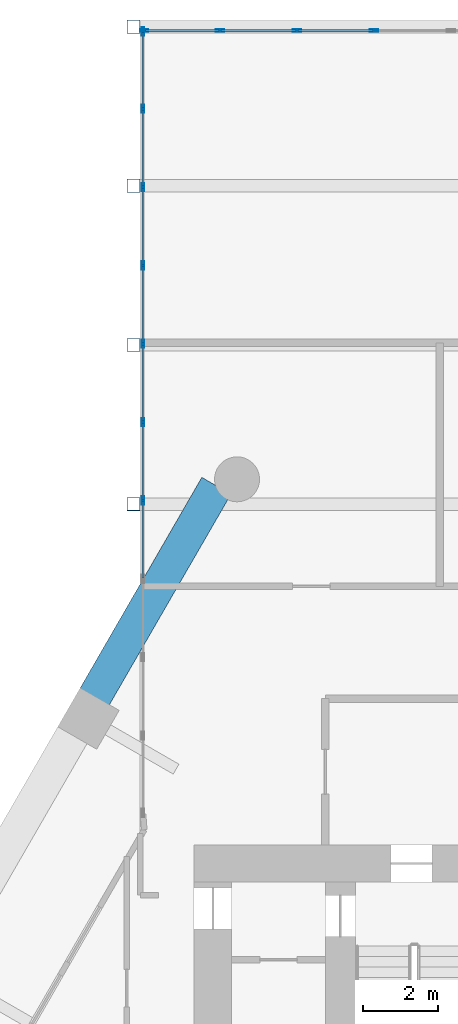
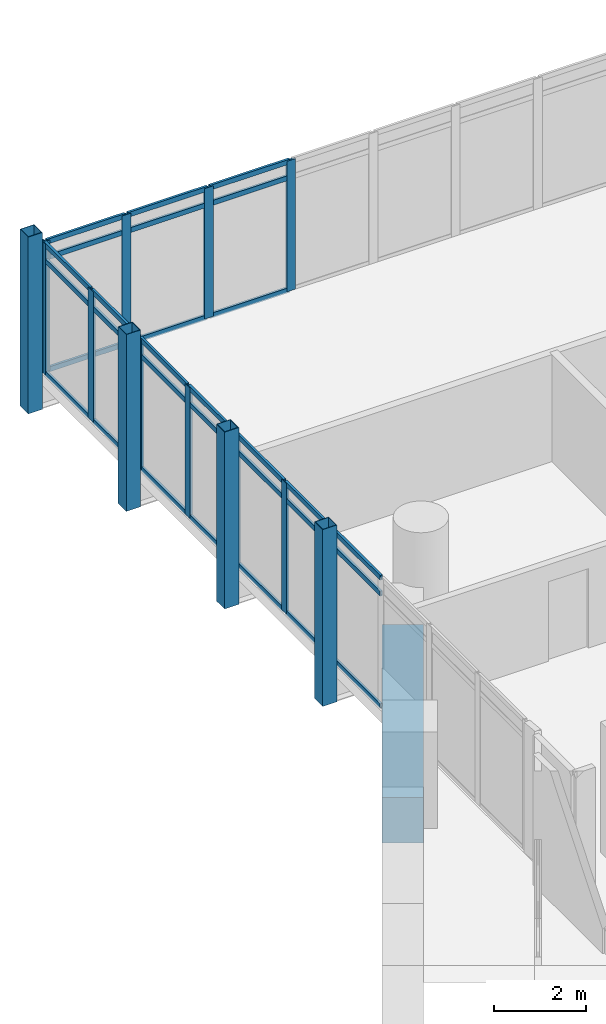
# One storey, part 13 of 28: 45 members, 1 beam, 2 elements without a shape of their own.
"""IFC4 building model written with IfcOpenShell, lengths in metres."""

from ifc_helpers import new_model, si_unit, direction, frame, origin, origin_2d, place, context, subcontext, project, spatial, rectangle, hollow_rectangle, extrude, material, material_profile, profile_set, type_object, element, aggregate, save


model = new_model("IFC4")

# Units and contexts
model_context = context("Model", 3, precision=1e-05, world=origin(), true_north=direction((0.0, 1.0)))
body_context = subcontext(model_context, "Body", "Model", "MODEL_VIEW")
ifc_project = project(units=[si_unit("LENGTHUNIT", "METRE"), si_unit("AREAUNIT", "SQUARE_METRE"), si_unit("VOLUMEUNIT", "CUBIC_METRE"), si_unit("PLANEANGLEUNIT", "RADIAN"), si_unit("MASSUNIT", "GRAM", prefix="KILO")], contexts=[model_context])

# Site, building, storey
site_placement = place(None, origin())
site = spatial("IfcSite", under=ifc_project, at=site_placement, CompositionType="ELEMENT")
building_placement = place(site_placement, origin())
building = spatial("IfcBuilding", under=site, at=building_placement, Name="Ostrander Bayou Hotel Tower", CompositionType="ELEMENT")
storey_placement = place(building_placement, frame((0.0, 0.0, 104.25)))
storey = spatial("IfcBuildingStorey", under=building, at=storey_placement, Name="L26", CompositionType="ELEMENT", Elevation=104.25)

# Curtain wall, members
ifc_material_1 = material(Name="Aluminium and clear glass", Category="aluminium")
curtain_wall_type = type_object("IfcCurtainWallType", Name="CW-BAR glazed wall", PredefinedType="NOTDEFINED", material=ifc_material_1)
curtain_wall_1_placement = place(storey_placement, origin())
curtain_wall_1 = element("IfcCurtainWall", 1, at=curtain_wall_1_placement, inside=storey, type_object=curtain_wall_type, Name="CW-BAR L26:SB2N:E", PredefinedType="NOTDEFINED")
ifc_material_2 = material(Name="Aluminium", Category="aluminium")
ifc_material_profile_1 = material_profile(ifc_material_2, hollow_rectangle(XDim=0.06005859375, YDim=0.219970703125, WallThickness=0.00390625, at=origin_2d()))
ifc_profile_set_1 = profile_set([ifc_material_profile_1], Name="Aluminium")
member_type_1 = type_object("IfcMemberType", Name="CW-BR mullion 60 x 220 mm", PredefinedType="MULLION", material=ifc_profile_set_1)
member_1_placement = place(storey_placement, frame((-13.3671875, 18.89013671875, 0.0), z_axis=(0.0, 0.0, 1.0), x_axis=(-1.0, 0.0, 0.0)))
member_1 = element("IfcMember", 2, at=member_1_placement, type_object=member_type_1, Name="CW-BAR mullion 5", PredefinedType="MULLION", context=body_context, shape_type="SweptSolid", body=[
    extrude(hollow_rectangle(XDim=0.06005859375, YDim=0.219970703125, WallThickness=0.00390625, at=origin_2d()), origin(), (0.0, 0.0, 1.0), 3.449951171875),
])
member_2_placement = place(storey_placement, frame((-13.3671875, 20.982666015625, 0.0), z_axis=(0.0, 0.0, 1.0), x_axis=(-1.0, 0.0, 0.0)))
member_2 = element("IfcMember", 3, at=member_2_placement, type_object=member_type_1, Name="CW-BAR mullion 6", PredefinedType="MULLION", context=body_context, shape_type="SweptSolid", body=[
    extrude(hollow_rectangle(XDim=0.06005859375, YDim=0.219970703125, WallThickness=0.00390625, at=origin_2d()), origin(), (0.0, 0.0, 1.0), 3.449951171875),
])
member_3_placement = place(storey_placement, frame((-13.3671875, 23.0751953125, 0.0), z_axis=(0.0, 0.0, 1.0), x_axis=(-1.0, 0.0, 0.0)))
member_3 = element("IfcMember", 4, at=member_3_placement, type_object=member_type_1, Name="CW-BAR mullion 7", PredefinedType="MULLION", context=body_context, shape_type="SweptSolid", body=[
    extrude(hollow_rectangle(XDim=0.06005859375, YDim=0.219970703125, WallThickness=0.00390625, at=origin_2d()), origin(), (0.0, 0.0, 1.0), 3.449951171875),
])
member_4_placement = place(storey_placement, frame((-13.3671875, 25.167724609375, 0.0), z_axis=(0.0, 0.0, 1.0), x_axis=(-1.0, 0.0, 0.0)))
member_4 = element("IfcMember", 5, at=member_4_placement, type_object=member_type_1, Name="CW-BAR mullion 8", PredefinedType="MULLION", context=body_context, shape_type="SweptSolid", body=[
    extrude(hollow_rectangle(XDim=0.06005859375, YDim=0.219970703125, WallThickness=0.00390625, at=origin_2d()), origin(), (0.0, 0.0, 1.0), 3.449951171875),
])
member_5_placement = place(storey_placement, frame((-13.3671875, 27.26025390625, 0.0), z_axis=(0.0, 0.0, 1.0), x_axis=(-1.0, 0.0, 0.0)))
member_5 = element("IfcMember", 6, at=member_5_placement, type_object=member_type_1, Name="CW-BAR mullion 9", PredefinedType="MULLION", context=body_context, shape_type="SweptSolid", body=[
    extrude(hollow_rectangle(XDim=0.06005859375, YDim=0.219970703125, WallThickness=0.00390625, at=origin_2d()), origin(), (0.0, 0.0, 1.0), 3.449951171875),
])
member_6_placement = place(storey_placement, frame((-13.3671875, 29.352783203125, 0.0), z_axis=(0.0, 0.0, 1.0), x_axis=(-1.0, 0.0, 0.0)))
member_6 = element("IfcMember", 7, at=member_6_placement, type_object=member_type_1, Name="CW-BAR mullion 10", PredefinedType="MULLION", context=body_context, shape_type="SweptSolid", body=[
    extrude(hollow_rectangle(XDim=0.06005859375, YDim=0.219970703125, WallThickness=0.00390625, at=origin_2d()), origin(), (0.0, 0.0, 1.0), 3.449951171875),
])
member_7_placement = place(storey_placement, frame((-13.3671875, 31.415283203125, 0.0), z_axis=(0.0, 0.0, 1.0), x_axis=(-1.0, 0.0, 0.0)))
member_7 = element("IfcMember", 8, at=member_7_placement, type_object=member_type_1, Name="CW-BAR mullion 11", PredefinedType="MULLION", context=body_context, shape_type="SweptSolid", body=[
    extrude(hollow_rectangle(XDim=0.06005859375, YDim=0.219970703125, WallThickness=0.00390625, at=origin_2d()), origin(), (0.0, 0.0, 1.0), 3.449951171875),
])

curtain_wall_2_placement = place(storey_placement, origin())
curtain_wall_2 = element("IfcCurtainWall", 9, at=curtain_wall_2_placement, inside=storey, type_object=curtain_wall_type, Name="CW-BAR L26:SB2N:T", PredefinedType="NOTDEFINED")
member_8_placement = place(storey_placement, frame((-13.337158203125, 31.4453125, 0.0), z_axis=(0.0, 0.0, 1.0), x_axis=(0.0, 1.0, 0.0)))
member_8 = element("IfcMember", 10, at=member_8_placement, type_object=member_type_1, Name="CW-BAR mullion 1", PredefinedType="MULLION", context=body_context, shape_type="SweptSolid", body=[
    extrude(hollow_rectangle(XDim=0.06005859375, YDim=0.219970703125, WallThickness=0.00390625, at=origin_2d()), origin(), (0.0, 0.0, 1.0), 3.449951171875),
])
member_9_placement = place(storey_placement, frame((-11.310791015625, 31.4453125, 0.0), z_axis=(0.0, 0.0, 1.0), x_axis=(0.0, 1.0, 0.0)))
member_9 = element("IfcMember", 11, at=member_9_placement, type_object=member_type_1, Name="CW-BAR mullion 2", PredefinedType="MULLION", context=body_context, shape_type="SweptSolid", body=[
    extrude(hollow_rectangle(XDim=0.06005859375, YDim=0.219970703125, WallThickness=0.00390625, at=origin_2d()), origin(), (0.0, 0.0, 1.0), 3.449951171875),
])
member_10_placement = place(storey_placement, frame((-9.254150390625, 31.4453125, 0.0), z_axis=(0.0, 0.0, 1.0), x_axis=(0.0, 1.0, 0.0)))
member_10 = element("IfcMember", 12, at=member_10_placement, type_object=member_type_1, Name="CW-BAR mullion 3", PredefinedType="MULLION", context=body_context, shape_type="SweptSolid", body=[
    extrude(hollow_rectangle(XDim=0.06005859375, YDim=0.219970703125, WallThickness=0.00390625, at=origin_2d()), origin(), (0.0, 0.0, 1.0), 3.449951171875),
])
member_11_placement = place(storey_placement, frame((-7.19775390625, 31.4453125, 0.0), z_axis=(0.0, 0.0, 1.0), x_axis=(0.0, 1.0, 0.0)))
member_11 = element("IfcMember", 13, at=member_11_placement, type_object=member_type_1, Name="CW-BAR mullion 4", PredefinedType="MULLION", context=body_context, shape_type="SweptSolid", body=[
    extrude(hollow_rectangle(XDim=0.06005859375, YDim=0.219970703125, WallThickness=0.00390625, at=origin_2d()), origin(), (0.0, 0.0, 1.0), 3.449951171875),
])

# Member
ifc_material_3 = material(Name="Aluminium", Category="aluminium")
ifc_material_profile_2 = material_profile(ifc_material_3, hollow_rectangle(XDim=0.06005859375, YDim=0.1298828125, WallThickness=0.00390625, at=origin_2d()))
ifc_profile_set_2 = profile_set([ifc_material_profile_2], Name="Aluminium")
member_type_2 = type_object("IfcMemberType", Name="CW-BR transom 60 x 130 mm", PredefinedType="USERDEFINED", material=ifc_profile_set_2)
member_12_placement = place(storey_placement, frame((-13.3671875, 16.82763671875, 0.030029296875), z_axis=(0.0, 1.0, 0.0), x_axis=(-1.0, 0.0, 0.0)))
member_12 = element("IfcMember", 14, at=member_12_placement, type_object=member_type_2, Name="CW-BAR transom 4.1", ObjectType="TRANSOM", PredefinedType="USERDEFINED", context=body_context, shape_type="SweptSolid", body=[
    extrude(hollow_rectangle(XDim=0.06005859375, YDim=0.1298828125, WallThickness=0.00390625, at=origin_2d()), origin(), (0.0, 0.0, 1.0), 2.032470703125),
])

member_13_placement = place(storey_placement, frame((-13.3671875, 16.82763671875, 3.0), z_axis=(0.0, 1.0, 0.0), x_axis=(-1.0, 0.0, 0.0)))
member_13 = element("IfcMember", 15, at=member_13_placement, type_object=member_type_2, Name="CW-BAR transom 4.2", ObjectType="TRANSOM", PredefinedType="USERDEFINED", context=body_context, shape_type="SweptSolid", body=[
    extrude(hollow_rectangle(XDim=0.06005859375, YDim=0.1298828125, WallThickness=0.00390625, at=origin_2d()), origin(), (0.0, 0.0, 1.0), 2.032470703125),
])

member_14_placement = place(storey_placement, frame((-13.3671875, 16.82763671875, 3.419921875), z_axis=(0.0, 1.0, 0.0), x_axis=(-1.0, 0.0, 0.0)))
member_14 = element("IfcMember", 16, at=member_14_placement, type_object=member_type_2, Name="CW-BAR transom 4.3", ObjectType="TRANSOM", PredefinedType="USERDEFINED", context=body_context, shape_type="SweptSolid", body=[
    extrude(hollow_rectangle(XDim=0.06005859375, YDim=0.1298828125, WallThickness=0.00390625, at=origin_2d()), origin(), (0.0, 0.0, 1.0), 2.032470703125),
])

member_15_placement = place(storey_placement, frame((-13.3671875, 18.920166015625, 0.030029296875), z_axis=(0.0, 1.0, 0.0), x_axis=(-1.0, 0.0, 0.0)))
member_15 = element("IfcMember", 17, at=member_15_placement, type_object=member_type_2, Name="CW-BAR transom 5.1", ObjectType="TRANSOM", PredefinedType="USERDEFINED", context=body_context, shape_type="SweptSolid", body=[
    extrude(hollow_rectangle(XDim=0.06005859375, YDim=0.1298828125, WallThickness=0.00390625, at=origin_2d()), origin(), (0.0, 0.0, 1.0), 2.032470703125),
])

member_16_placement = place(storey_placement, frame((-13.3671875, 18.920166015625, 3.0), z_axis=(0.0, 1.0, 0.0), x_axis=(-1.0, 0.0, 0.0)))
member_16 = element("IfcMember", 18, at=member_16_placement, type_object=member_type_2, Name="CW-BAR transom 5.2", ObjectType="TRANSOM", PredefinedType="USERDEFINED", context=body_context, shape_type="SweptSolid", body=[
    extrude(hollow_rectangle(XDim=0.06005859375, YDim=0.1298828125, WallThickness=0.00390625, at=origin_2d()), origin(), (0.0, 0.0, 1.0), 2.032470703125),
])

member_17_placement = place(storey_placement, frame((-13.3671875, 18.920166015625, 3.419921875), z_axis=(0.0, 1.0, 0.0), x_axis=(-1.0, 0.0, 0.0)))
member_17 = element("IfcMember", 19, at=member_17_placement, type_object=member_type_2, Name="CW-BAR transom 5.3", ObjectType="TRANSOM", PredefinedType="USERDEFINED", context=body_context, shape_type="SweptSolid", body=[
    extrude(hollow_rectangle(XDim=0.06005859375, YDim=0.1298828125, WallThickness=0.00390625, at=origin_2d()), origin(), (0.0, 0.0, 1.0), 2.032470703125),
])

member_18_placement = place(storey_placement, frame((-13.3671875, 21.0126953125, 0.030029296875), z_axis=(0.0, 1.0, 0.0), x_axis=(-1.0, 0.0, 0.0)))
member_18 = element("IfcMember", 20, at=member_18_placement, type_object=member_type_2, Name="CW-BAR transom 6.1", ObjectType="TRANSOM", PredefinedType="USERDEFINED", context=body_context, shape_type="SweptSolid", body=[
    extrude(hollow_rectangle(XDim=0.06005859375, YDim=0.1298828125, WallThickness=0.00390625, at=origin_2d()), origin(), (0.0, 0.0, 1.0), 2.032470703125),
])

member_19_placement = place(storey_placement, frame((-13.3671875, 21.0126953125, 3.0), z_axis=(0.0, 1.0, 0.0), x_axis=(-1.0, 0.0, 0.0)))
member_19 = element("IfcMember", 21, at=member_19_placement, type_object=member_type_2, Name="CW-BAR transom 6.2", ObjectType="TRANSOM", PredefinedType="USERDEFINED", context=body_context, shape_type="SweptSolid", body=[
    extrude(hollow_rectangle(XDim=0.06005859375, YDim=0.1298828125, WallThickness=0.00390625, at=origin_2d()), origin(), (0.0, 0.0, 1.0), 2.032470703125),
])

member_20_placement = place(storey_placement, frame((-13.3671875, 21.0126953125, 3.419921875), z_axis=(0.0, 1.0, 0.0), x_axis=(-1.0, 0.0, 0.0)))
member_20 = element("IfcMember", 22, at=member_20_placement, type_object=member_type_2, Name="CW-BAR transom 6.3", ObjectType="TRANSOM", PredefinedType="USERDEFINED", context=body_context, shape_type="SweptSolid", body=[
    extrude(hollow_rectangle(XDim=0.06005859375, YDim=0.1298828125, WallThickness=0.00390625, at=origin_2d()), origin(), (0.0, 0.0, 1.0), 2.032470703125),
])

member_21_placement = place(storey_placement, frame((-13.3671875, 23.105224609375, 0.030029296875), z_axis=(0.0, 1.0, 0.0), x_axis=(-1.0, 0.0, 0.0)))
member_21 = element("IfcMember", 23, at=member_21_placement, type_object=member_type_2, Name="CW-BAR transom 7.1", ObjectType="TRANSOM", PredefinedType="USERDEFINED", context=body_context, shape_type="SweptSolid", body=[
    extrude(hollow_rectangle(XDim=0.06005859375, YDim=0.1298828125, WallThickness=0.00390625, at=origin_2d()), origin(), (0.0, 0.0, 1.0), 2.032470703125),
])

member_22_placement = place(storey_placement, frame((-13.3671875, 23.105224609375, 3.0), z_axis=(0.0, 1.0, 0.0), x_axis=(-1.0, 0.0, 0.0)))
member_22 = element("IfcMember", 24, at=member_22_placement, type_object=member_type_2, Name="CW-BAR transom 7.2", ObjectType="TRANSOM", PredefinedType="USERDEFINED", context=body_context, shape_type="SweptSolid", body=[
    extrude(hollow_rectangle(XDim=0.06005859375, YDim=0.1298828125, WallThickness=0.00390625, at=origin_2d()), origin(), (0.0, 0.0, 1.0), 2.032470703125),
])

member_23_placement = place(storey_placement, frame((-13.3671875, 23.105224609375, 3.419921875), z_axis=(0.0, 1.0, 0.0), x_axis=(-1.0, 0.0, 0.0)))
member_23 = element("IfcMember", 25, at=member_23_placement, type_object=member_type_2, Name="CW-BAR transom 7.3", ObjectType="TRANSOM", PredefinedType="USERDEFINED", context=body_context, shape_type="SweptSolid", body=[
    extrude(hollow_rectangle(XDim=0.06005859375, YDim=0.1298828125, WallThickness=0.00390625, at=origin_2d()), origin(), (0.0, 0.0, 1.0), 2.032470703125),
])

member_24_placement = place(storey_placement, frame((-13.3671875, 25.19775390625, 0.030029296875), z_axis=(0.0, 1.0, 0.0), x_axis=(-1.0, 0.0, 0.0)))
member_24 = element("IfcMember", 26, at=member_24_placement, type_object=member_type_2, Name="CW-BAR transom 8.1", ObjectType="TRANSOM", PredefinedType="USERDEFINED", context=body_context, shape_type="SweptSolid", body=[
    extrude(hollow_rectangle(XDim=0.06005859375, YDim=0.1298828125, WallThickness=0.00390625, at=origin_2d()), origin(), (0.0, 0.0, 1.0), 2.032470703125),
])

member_25_placement = place(storey_placement, frame((-13.3671875, 25.19775390625, 3.0), z_axis=(0.0, 1.0, 0.0), x_axis=(-1.0, 0.0, 0.0)))
member_25 = element("IfcMember", 27, at=member_25_placement, type_object=member_type_2, Name="CW-BAR transom 8.2", ObjectType="TRANSOM", PredefinedType="USERDEFINED", context=body_context, shape_type="SweptSolid", body=[
    extrude(hollow_rectangle(XDim=0.06005859375, YDim=0.1298828125, WallThickness=0.00390625, at=origin_2d()), origin(), (0.0, 0.0, 1.0), 2.032470703125),
])

member_26_placement = place(storey_placement, frame((-13.3671875, 25.19775390625, 3.419921875), z_axis=(0.0, 1.0, 0.0), x_axis=(-1.0, 0.0, 0.0)))
member_26 = element("IfcMember", 28, at=member_26_placement, type_object=member_type_2, Name="CW-BAR transom 8.3", ObjectType="TRANSOM", PredefinedType="USERDEFINED", context=body_context, shape_type="SweptSolid", body=[
    extrude(hollow_rectangle(XDim=0.06005859375, YDim=0.1298828125, WallThickness=0.00390625, at=origin_2d()), origin(), (0.0, 0.0, 1.0), 2.032470703125),
])

member_27_placement = place(storey_placement, frame((-13.3671875, 27.290283203125, 0.030029296875), z_axis=(0.0, 1.0, 0.0), x_axis=(-1.0, 0.0, 0.0)))
member_27 = element("IfcMember", 29, at=member_27_placement, type_object=member_type_2, Name="CW-BAR transom 9.1", ObjectType="TRANSOM", PredefinedType="USERDEFINED", context=body_context, shape_type="SweptSolid", body=[
    extrude(hollow_rectangle(XDim=0.06005859375, YDim=0.1298828125, WallThickness=0.00390625, at=origin_2d()), origin(), (0.0, 0.0, 1.0), 2.032470703125),
])

member_28_placement = place(storey_placement, frame((-13.3671875, 27.290283203125, 3.0), z_axis=(0.0, 1.0, 0.0), x_axis=(-1.0, 0.0, 0.0)))
member_28 = element("IfcMember", 30, at=member_28_placement, type_object=member_type_2, Name="CW-BAR transom 9.2", ObjectType="TRANSOM", PredefinedType="USERDEFINED", context=body_context, shape_type="SweptSolid", body=[
    extrude(hollow_rectangle(XDim=0.06005859375, YDim=0.1298828125, WallThickness=0.00390625, at=origin_2d()), origin(), (0.0, 0.0, 1.0), 2.032470703125),
])

member_29_placement = place(storey_placement, frame((-13.3671875, 27.290283203125, 3.419921875), z_axis=(0.0, 1.0, 0.0), x_axis=(-1.0, 0.0, 0.0)))
member_29 = element("IfcMember", 31, at=member_29_placement, type_object=member_type_2, Name="CW-BAR transom 9.3", ObjectType="TRANSOM", PredefinedType="USERDEFINED", context=body_context, shape_type="SweptSolid", body=[
    extrude(hollow_rectangle(XDim=0.06005859375, YDim=0.1298828125, WallThickness=0.00390625, at=origin_2d()), origin(), (0.0, 0.0, 1.0), 2.032470703125),
])

member_30_placement = place(storey_placement, frame((-13.3671875, 29.3828125, 0.030029296875), z_axis=(0.0, 1.0, 0.0), x_axis=(-1.0, 0.0, 0.0)))
member_30 = element("IfcMember", 32, at=member_30_placement, type_object=member_type_2, Name="CW-BAR transom 10.1", ObjectType="TRANSOM", PredefinedType="USERDEFINED", context=body_context, shape_type="SweptSolid", body=[
    extrude(hollow_rectangle(XDim=0.06005859375, YDim=0.1298828125, WallThickness=0.00390625, at=origin_2d()), origin(), (0.0, 0.0, 1.0), 2.002685546875),
])

member_31_placement = place(storey_placement, frame((-13.3671875, 29.3828125, 3.0), z_axis=(0.0, 1.0, 0.0), x_axis=(-1.0, 0.0, 0.0)))
member_31 = element("IfcMember", 33, at=member_31_placement, type_object=member_type_2, Name="CW-BAR transom 10.2", ObjectType="TRANSOM", PredefinedType="USERDEFINED", context=body_context, shape_type="SweptSolid", body=[
    extrude(hollow_rectangle(XDim=0.06005859375, YDim=0.1298828125, WallThickness=0.00390625, at=origin_2d()), origin(), (0.0, 0.0, 1.0), 2.002685546875),
])

member_32_placement = place(storey_placement, frame((-13.3671875, 29.3828125, 3.419921875), z_axis=(0.0, 1.0, 0.0), x_axis=(-1.0, 0.0, 0.0)))
member_32 = element("IfcMember", 34, at=member_32_placement, type_object=member_type_2, Name="CW-BAR transom 10.3", ObjectType="TRANSOM", PredefinedType="USERDEFINED", context=body_context, shape_type="SweptSolid", body=[
    extrude(hollow_rectangle(XDim=0.06005859375, YDim=0.1298828125, WallThickness=0.00390625, at=origin_2d()), origin(), (0.0, 0.0, 1.0), 2.002685546875),
])

aggregate(curtain_wall_1, [member_1, member_2, member_3, member_4, member_5, member_6, member_7, member_12, member_13, member_14, member_15, member_16, member_17, member_18, member_19, member_20, member_21, member_22, member_23, member_24, member_25, member_26, member_27, member_28, member_29, member_30, member_31, member_32])

member_33_placement = place(storey_placement, frame((-13.30712890625, 31.4453125, 0.030029296875), z_axis=(1.0, 0.0, 0.0), x_axis=(0.0, 1.0, 0.0)))
member_33 = element("IfcMember", 35, at=member_33_placement, type_object=member_type_2, Name="CW-BAR transom 1.1", ObjectType="TRANSOM", PredefinedType="USERDEFINED", context=body_context, shape_type="SweptSolid", body=[
    extrude(hollow_rectangle(XDim=0.06005859375, YDim=0.1298828125, WallThickness=0.00390625, at=origin_2d()), origin(), (0.0, 0.0, 1.0), 1.96630859375),
])

member_34_placement = place(storey_placement, frame((-13.30712890625, 31.4453125, 3.0), z_axis=(1.0, 0.0, 0.0), x_axis=(0.0, 1.0, 0.0)))
member_34 = element("IfcMember", 36, at=member_34_placement, type_object=member_type_2, Name="CW-BAR transom 1.2", ObjectType="TRANSOM", PredefinedType="USERDEFINED", context=body_context, shape_type="SweptSolid", body=[
    extrude(hollow_rectangle(XDim=0.06005859375, YDim=0.1298828125, WallThickness=0.00390625, at=origin_2d()), origin(), (0.0, 0.0, 1.0), 1.96630859375),
])

member_35_placement = place(storey_placement, frame((-13.30712890625, 31.4453125, 3.419921875), z_axis=(1.0, 0.0, 0.0), x_axis=(0.0, 1.0, 0.0)))
member_35 = element("IfcMember", 37, at=member_35_placement, type_object=member_type_2, Name="CW-BAR transom 1.3", ObjectType="TRANSOM", PredefinedType="USERDEFINED", context=body_context, shape_type="SweptSolid", body=[
    extrude(hollow_rectangle(XDim=0.06005859375, YDim=0.1298828125, WallThickness=0.00390625, at=origin_2d()), origin(), (0.0, 0.0, 1.0), 1.96630859375),
])

member_36_placement = place(storey_placement, frame((-11.28076171875, 31.4453125, 0.030029296875), z_axis=(1.0, 0.0, 0.0), x_axis=(0.0, 1.0, 0.0)))
member_36 = element("IfcMember", 38, at=member_36_placement, type_object=member_type_2, Name="CW-BAR transom 2.1", ObjectType="TRANSOM", PredefinedType="USERDEFINED", context=body_context, shape_type="SweptSolid", body=[
    extrude(hollow_rectangle(XDim=0.06005859375, YDim=0.1298828125, WallThickness=0.00390625, at=origin_2d()), origin(), (0.0, 0.0, 1.0), 1.99658203125),
])

member_37_placement = place(storey_placement, frame((-11.28076171875, 31.4453125, 3.0), z_axis=(1.0, 0.0, 0.0), x_axis=(0.0, 1.0, 0.0)))
member_37 = element("IfcMember", 39, at=member_37_placement, type_object=member_type_2, Name="CW-BAR transom 2.2", ObjectType="TRANSOM", PredefinedType="USERDEFINED", context=body_context, shape_type="SweptSolid", body=[
    extrude(hollow_rectangle(XDim=0.06005859375, YDim=0.1298828125, WallThickness=0.00390625, at=origin_2d()), origin(), (0.0, 0.0, 1.0), 1.99658203125),
])

member_38_placement = place(storey_placement, frame((-11.28076171875, 31.4453125, 3.419921875), z_axis=(1.0, 0.0, 0.0), x_axis=(0.0, 1.0, 0.0)))
member_38 = element("IfcMember", 40, at=member_38_placement, type_object=member_type_2, Name="CW-BAR transom 2.3", ObjectType="TRANSOM", PredefinedType="USERDEFINED", context=body_context, shape_type="SweptSolid", body=[
    extrude(hollow_rectangle(XDim=0.06005859375, YDim=0.1298828125, WallThickness=0.00390625, at=origin_2d()), origin(), (0.0, 0.0, 1.0), 1.99658203125),
])

member_39_placement = place(storey_placement, frame((-9.22412109375, 31.4453125, 0.030029296875), z_axis=(1.0, 0.0, 0.0), x_axis=(0.0, 1.0, 0.0)))
member_39 = element("IfcMember", 41, at=member_39_placement, type_object=member_type_2, Name="CW-BAR transom 3.1", ObjectType="TRANSOM", PredefinedType="USERDEFINED", context=body_context, shape_type="SweptSolid", body=[
    extrude(hollow_rectangle(XDim=0.06005859375, YDim=0.1298828125, WallThickness=0.00390625, at=origin_2d()), origin(), (0.0, 0.0, 1.0), 1.996337890625),
])

member_40_placement = place(storey_placement, frame((-9.22412109375, 31.4453125, 3.0), z_axis=(1.0, 0.0, 0.0), x_axis=(0.0, 1.0, 0.0)))
member_40 = element("IfcMember", 42, at=member_40_placement, type_object=member_type_2, Name="CW-BAR transom 3.2", ObjectType="TRANSOM", PredefinedType="USERDEFINED", context=body_context, shape_type="SweptSolid", body=[
    extrude(hollow_rectangle(XDim=0.06005859375, YDim=0.1298828125, WallThickness=0.00390625, at=origin_2d()), origin(), (0.0, 0.0, 1.0), 1.996337890625),
])

member_41_placement = place(storey_placement, frame((-9.22412109375, 31.4453125, 3.419921875), z_axis=(1.0, 0.0, 0.0), x_axis=(0.0, 1.0, 0.0)))
member_41 = element("IfcMember", 43, at=member_41_placement, type_object=member_type_2, Name="CW-BAR transom 3.3", ObjectType="TRANSOM", PredefinedType="USERDEFINED", context=body_context, shape_type="SweptSolid", body=[
    extrude(hollow_rectangle(XDim=0.06005859375, YDim=0.1298828125, WallThickness=0.00390625, at=origin_2d()), origin(), (0.0, 0.0, 1.0), 1.996337890625),
])

aggregate(curtain_wall_2, [member_8, member_9, member_10, member_11, member_33, member_34, member_35, member_36, member_37, member_38, member_39, member_40, member_41])

# Beam
ifc_material_4 = material(Name="Concrete f'c 70 MPa", Category="concrete")
ifc_material_profile_3 = material_profile(ifc_material_4, rectangle(XDim=0.89990234375, YDim=1.199951171875, at=origin_2d()))
ifc_profile_set_3 = profile_set([ifc_material_profile_3], Name="Concrete f'c 70 MPa")
beam_type = type_object("IfcBeamType", Name="SP2 spandrel beam 900 x 1200 mm f'c 70 MPa", PredefinedType="SPANDREL", material=ifc_profile_set_3)
beam_placement = place(storey_placement, frame((-11.407958984375, 19.286376953125, -0.60009765625), z_axis=(-0.499971966783, -0.866041588165, 0.0), x_axis=(0.866041588165, -0.499971966783, 0.0)))
element("IfcBeam", 44, at=beam_placement, inside=storey, type_object=beam_type, Name="SP2 L26 NW-1", PredefinedType="SPANDREL", context=body_context, shape_type="SweptSolid", body=[
    extrude(rectangle(XDim=0.89990234375, YDim=1.199951171875, at=origin_2d()), origin(), (0.0, 0.0, 1.0), 6.521728515625),
])

# Members
ifc_material_5 = material(Name="Steel ASTM A500 Gr C", Category="steel")
ifc_material_profile_4 = material_profile(ifc_material_5, hollow_rectangle(XDim=0.355712890625, YDim=0.355712890625, WallThickness=0.0146484375, at=origin_2d()))
ifc_profile_set_4 = profile_set([ifc_material_profile_4], Name="Steel ASTM A500 Gr C")
member_type_3 = type_object("IfcMemberType", Name="TH1 bar hanger HSS14x14x5/8", PredefinedType="POST", material=ifc_profile_set_4)
for number, where, z_axis, x_axis, name in (
    (45, (-13.6201171875, 31.54541015625, -0.921875), (0.0, 0.0, 1.0), (1.0, 0.0, 0.0), "TH1 SB2WA H1-4"),
    (46, (-13.6201171875, 27.295654296875, -0.921875), (0.0, 0.0, 1.0), (1.0, 0.0, 0.0), "TH1 SB2WA H2-4"),
    (47, (-13.6201171875, 23.0458984375, -0.921875), (0.0, 0.0, 1.0), (1.0, 0.0, 0.0), "TH1 SB2WA H3-4"),
    (48, (-13.6201171875, 18.79638671875, -0.921875), (0.0, 0.0, 1.0), (1.0, 0.0, 0.0), "TH1 SB2WA H4-4"),
):
    element("IfcMember", number, at=place(storey_placement, frame(where, z_axis=z_axis, x_axis=x_axis)), inside=storey, type_object=member_type_3, Name=name, PredefinedType="POST", context=body_context, shape_type="SweptSolid", body=[
        extrude(hollow_rectangle(XDim=0.355712890625, YDim=0.355712890625, WallThickness=0.0146484375, at=origin_2d()), origin(), (0.0, 0.0, 1.0), 4.671875),
    ])

save(model, "model.ifc")
